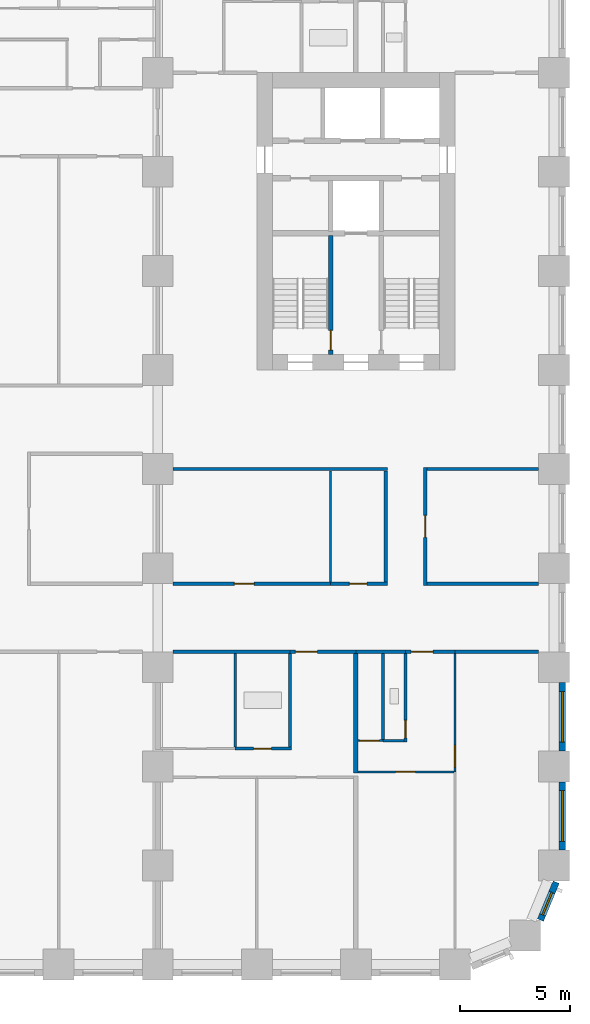
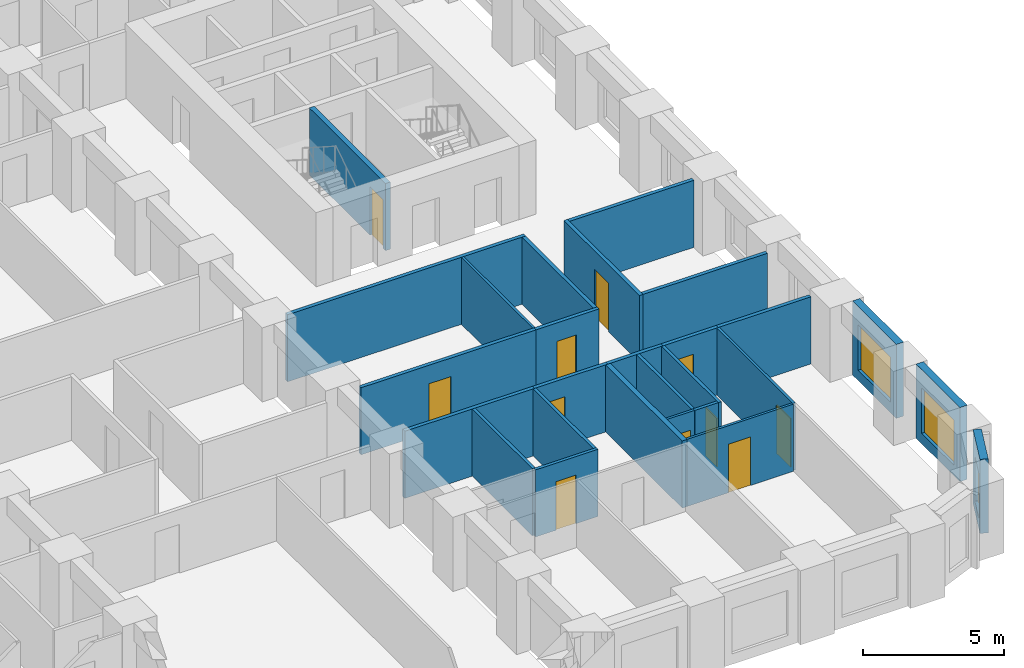
# One storey, part 5 of 13: 27 walls, 11 doors, 3 windows, 14 openings.
"""IFC4 building model written with IfcOpenShell, lengths in metres."""

import ifcopenshell
import ifcopenshell.guid

model = None  # the IFC model being written
_history = None  # IfcOwnerHistory: only IFC2X3 demands one
_inside = {}  # id of a spatial element -> (the spatial element, [elements in it])
_under = {}  # id of a project, library or spatial element -> (it, [spatial elements below it])
_declared = {}  # id of a project -> (the project, [libraries it declares])
_typed = {}  # id of a type object -> (the type object, [elements of that type])
_made_of = {}  # id of a material, layer set ... -> (it, [elements and type objects made of it])


def new_model(schema):
    """Start an empty IFC model of exactly this schema.

    Asked for "IFC4X3", IfcOpenShell would pick the latest addendum, in which some entities
    have other attributes; the version numbers below select the first issue.
    IFC2X3 requires an IfcOwnerHistory on every rooted entity: one is made here for all.
    """
    global model, _history
    if schema == "IFC4X3":
        model = ifcopenshell.file(schema_version=(4, 3, 0, 0))
    else:
        model = ifcopenshell.file(schema=schema)
    _inside.clear()
    _under.clear()
    _declared.clear()
    _typed.clear()
    _made_of.clear()
    _history = None
    if model.schema == "IFC2X3":
        org = make("IfcOrganization", Name="unknown")
        user = make(
            "IfcPersonAndOrganization",
            ThePerson=make("IfcPerson", FamilyName="unknown"),
            TheOrganization=org,
        )
        app = make(
            "IfcApplication",
            ApplicationDeveloper=org,
            Version="unknown",
            ApplicationFullName="unknown",
            ApplicationIdentifier="unknown",
        )
        _history = make(
            "IfcOwnerHistory",
            OwningUser=user,
            OwningApplication=app,
            ChangeAction="ADDED",
            CreationDate=0,
        )
    return model


def make(cls, **values):
    """One entity of the class cls with the attributes given. An attribute that is None is left unset."""
    return model.create_entity(
        cls, **{name: value for name, value in values.items() if value is not None}
    )


def rooted(cls, **values):
    """An entity with a GlobalId (a new one), such as an element, a storey or a relation."""
    return make(cls, GlobalId=ifcopenshell.guid.new(), OwnerHistory=_history, **values)


def si_unit(unit_type, name, prefix=None):
    """IfcSIUnit, for example si_unit("LENGTHUNIT", "METRE", prefix="MILLI")."""
    return make("IfcSIUnit", UnitType=unit_type, Prefix=prefix, Name=name)


def assignment(units):
    """IfcUnitAssignment: the units of a project."""
    return None if units is None else make("IfcUnitAssignment", Units=units)


def point(xyz):
    """IfcCartesianPoint."""
    return None if xyz is None else make("IfcCartesianPoint", Coordinates=xyz)


def direction(xyz):
    """IfcDirection."""
    return None if xyz is None else make("IfcDirection", DirectionRatios=xyz)


def frame(location, z_axis=None, x_axis=None):
    """IfcAxis2Placement3D, a coordinate frame: its origin and axes. An axis left out is left unset."""
    return make(
        "IfcAxis2Placement3D",
        Location=point(location),
        Axis=direction(z_axis),
        RefDirection=direction(x_axis),
    )


def frame_2d(location, x_axis=None):
    """IfcAxis2Placement2D, a coordinate frame in the plane: its origin and x axis."""
    return make(
        "IfcAxis2Placement2D", Location=point(location), RefDirection=direction(x_axis)
    )


def origin():
    """The frame at (0, 0, 0) with its axes left unset."""
    return frame((0.0, 0.0, 0.0))


def place(relative_to, where):
    """IfcLocalPlacement: puts the frame where relative to a parent placement (None: the world)."""
    return make(
        "IfcLocalPlacement", PlacementRelTo=relative_to, RelativePlacement=where
    )


def context(
    kind, dimensions, precision=None, world=None, true_north=None, identifier=None
):
    """IfcGeometricRepresentationContext, for example the 3D "Model" context."""
    return make(
        "IfcGeometricRepresentationContext",
        ContextIdentifier=identifier,
        ContextType=kind,
        CoordinateSpaceDimension=dimensions,
        Precision=precision,
        WorldCoordinateSystem=world,
        TrueNorth=true_north,
    )


def subcontext(parent, identifier, kind, view, scale=None):
    """IfcGeometricRepresentationSubContext, for example "Body" below "Model"."""
    return make(
        "IfcGeometricRepresentationSubContext",
        ContextIdentifier=identifier,
        ContextType=kind,
        ParentContext=parent,
        TargetScale=scale,
        TargetView=view,
    )


def project(units=None, contexts=None):
    """IfcProject with its units and contexts."""
    return rooted(
        "IfcProject",
        Name="project",
        RepresentationContexts=contexts,
        UnitsInContext=assignment(units),
    )


def spatial(cls, under=None, at=None, **own):
    """A site, building, storey or space (cls), placed at a placement, below another one or the project."""
    s = rooted(cls, ObjectPlacement=at, **own)
    if under is not None:
        _under.setdefault(under.id(), (under, []))[1].append(s)
    return s


def profile(cls, at=None, kind="AREA", **sizes):
    """A parametric profile (cls). Its sizes go by their IFC names, for example OverallWidth=200.0."""
    return make(cls, ProfileType=kind, Position=at, **sizes)


def rectangle(**sizes):
    """IfcRectangleProfileDef."""
    return profile("IfcRectangleProfileDef", **sizes)


def extrude(swept, where, along, depth):
    """IfcExtrudedAreaSolid: the profile swept, set in the frame where, extruded along a direction by depth."""
    return make(
        "IfcExtrudedAreaSolid",
        SweptArea=swept,
        Position=where,
        ExtrudedDirection=direction(along),
        Depth=depth,
    )


def shape(context_of_items, identifier, shape_type, items):
    """IfcShapeRepresentation: the items that make up one representation, for example the "Body"."""
    return make(
        "IfcShapeRepresentation",
        ContextOfItems=context_of_items,
        RepresentationIdentifier=identifier,
        RepresentationType=shape_type,
        Items=items,
    )


def material(Name=None, Category=None):
    """IfcMaterial."""
    return make("IfcMaterial", Name=Name, Category=Category)


def layer(
    of_material, thickness, ventilated=None, Name=None, Category=None, Priority=None
):
    """IfcMaterialLayer: one layer of a wall or slab, of a material (None: an air gap)."""
    return make(
        "IfcMaterialLayer",
        Material=of_material,
        LayerThickness=thickness,
        IsVentilated=ventilated,
        Name=Name,
        Category=Category,
        Priority=Priority,
    )


def layer_set(layers, Name=None):
    """IfcMaterialLayerSet."""
    return make("IfcMaterialLayerSet", MaterialLayers=layers, LayerSetName=Name)


def made_of(thing, what):
    """Note that an element or type object is made of a material, layer set ...; save() writes the relation."""
    if what is not None:
        _made_of.setdefault(what.id(), (what, []))[1].append(thing)
    return thing


def type_object(cls, material=None, **own):
    """A type object (cls), such as IfcWallType, which elements share."""
    return made_of(rooted(cls, **own), material)


def element(
    cls,
    number,
    at=None,
    inside=None,
    cuts=None,
    type_object=None,
    material=None,
    context=None,
    identifier="Body",
    shape_type=None,
    held_by="IfcProductDefinitionShape",
    body=None,
    shapes=None,
    **own,
):
    """One element of the class cls, such as IfcWall. Its Tag is "e" and its number.

    at: its placement. inside: the storey or other place that contains it. cuts: it is an
    opening in that element (IfcRelVoidsElement). A single representation is given by context,
    identifier, shape_type and body (its items); several are given by shapes. held_by: the class
    of the entity that holds the representations. save() writes the other relations.
    """
    e = rooted(cls, Tag="e%d" % number, ObjectPlacement=at, **own)
    if body is not None:
        shapes = [shape(context, identifier, shape_type, body)]
    if shapes is not None:
        e.Representation = make(held_by, Representations=shapes)
    if inside is not None:
        _inside.setdefault(inside.id(), (inside, []))[1].append(e)
    if cuts is not None:
        rooted(
            "IfcRelVoidsElement", RelatingBuildingElement=cuts, RelatedOpeningElement=e
        )
    if type_object is not None:
        _typed.setdefault(type_object.id(), (type_object, []))[1].append(e)
    return made_of(e, material)


def fill(opening, filler):
    """IfcRelFillsElement: the door or window that sits in an opening."""
    return rooted(
        "IfcRelFillsElement",
        RelatingOpeningElement=opening,
        RelatedBuildingElement=filler,
    )


def aggregate(whole, parts):
    """IfcRelAggregates: a whole, such as a stair, and the parts it consists of."""
    return rooted("IfcRelAggregates", RelatingObject=whole, RelatedObjects=parts)


def save(model, path):
    """Write the relations noted so far, then the file.

    IfcRelAggregates (storeys below a building ...), IfcRelContainedInSpatialStructure (elements
    in a storey), IfcRelDefinesByType, IfcRelAssociatesMaterial and IfcRelDeclares: one each for
    every whole, place, type object, material and project.
    """
    for whole, parts in _under.values():
        aggregate(whole, parts)
    for where, things in _inside.values():
        rooted(
            "IfcRelContainedInSpatialStructure",
            RelatedElements=things,
            RelatingStructure=where,
        )
    for kind, things in _typed.values():
        rooted("IfcRelDefinesByType", RelatedObjects=things, RelatingType=kind)
    for what, things in _made_of.values():
        rooted("IfcRelAssociatesMaterial", RelatedObjects=things, RelatingMaterial=what)
    for by, libraries in _declared.values():
        rooted("IfcRelDeclares", RelatingContext=by, RelatedDefinitions=libraries)
    model.write(path)


model = new_model("IFC4")

# Units and contexts
model_context = context("Model", 3, precision=1e-05, world=origin(), true_north=direction((0.0, 1.0)))
body_context = subcontext(model_context, "Body", "Model", "MODEL_VIEW")
ifc_project = project(units=[si_unit("LENGTHUNIT", "METRE"), si_unit("AREAUNIT", "SQUARE_METRE"), si_unit("VOLUMEUNIT", "CUBIC_METRE"), si_unit("PLANEANGLEUNIT", "RADIAN"), si_unit("MASSUNIT", "GRAM", prefix="KILO")], contexts=[model_context])

# Site, building, storey
site_placement = place(None, origin())
site = spatial("IfcSite", under=ifc_project, at=site_placement, CompositionType="ELEMENT")
building_placement = place(site_placement, origin())
building = spatial("IfcBuilding", under=site, at=building_placement, Name="Girih Gate Residences", CompositionType="ELEMENT")
storey_placement = place(building_placement, frame((0.0, 0.0, 46.39990234375)))
storey = spatial("IfcBuildingStorey", under=building, at=storey_placement, Name="L11", CompositionType="ELEMENT", Elevation=46.39990234375)

# Wall, opening, door
ifc_material_1 = material(Name="Gypsum board on steel studs", Category="steel")
ifc_layer_1 = layer(ifc_material_1, 0.14990234375)
ifc_layer_set_1 = layer_set([ifc_layer_1], Name="Compartment wall 150 mm")
wall_type_1 = type_object("IfcWallType", Name="Compartment wall 150 mm", PredefinedType="PARTITIONING", material=ifc_layer_set_1)
wall_1_placement = place(storey_placement, frame((45.0, 14.199951171875, 0.0), z_axis=(0.0, 0.0, 1.0), x_axis=(-1.0, 0.0, 0.0)))
wall_1 = element("IfcWall", 1, at=wall_1_placement, inside=storey, type_object=wall_type_1, Name="L11 partition", PredefinedType="PARTITIONING", context=body_context, shape_type="SweptSolid", body=[
    extrude(rectangle(XDim=2.25, YDim=0.14990234375, at=frame_2d((1.125, 0.0))), origin(), (0.0, 0.0, 1.0), 2.900146484375),
])
opening_1_placement = place(wall_1_placement, frame((1.0, 0.0, 0.0)))
opening_1 = element("IfcOpeningElement", 2, at=opening_1_placement, cuts=wall_1, Name="Opening A11-022", PredefinedType="OPENING", context=body_context, shape_type="SweptSolid", body=[
    extrude(rectangle(XDim=1.0, YDim=2.10009765625, at=frame_2d((0.5, 1.050048828125))), frame((0.0, 0.0849609375, 0.0), z_axis=(0.0, -1.0, 0.0), x_axis=(1.0, 0.0, 0.0)), (0.0, 0.0, 1.0), 0.169921875),
])
ifc_material_2 = material(Name="Timber, fire-rated core", Category="wood")
door_type_1 = type_object("IfcDoorType", Name="Flat entrance door 1000x2100 FD30S", OperationType="NOTDEFINED", PredefinedType="DOOR", material=ifc_material_2)
door_1_placement = place(opening_1_placement, origin())
door_1 = element("IfcDoor", 3, at=door_1_placement, inside=storey, type_object=door_type_1, Name="Door A11-022", OperationType="SINGLE_SWING_RIGHT", OverallHeight=2.10009765625, OverallWidth=1.0, PredefinedType="DOOR", context=body_context, shape_type="SweptSolid", body=[
    extrude(rectangle(XDim=1.0, YDim=2.10009765625, at=frame_2d((0.5, 1.050048828125))), frame((0.0, 0.02490234375, 0.0), z_axis=(0.0, -1.0, 0.0), x_axis=(1.0, 0.0, 0.0)), (0.0, 0.0, 1.0), 0.050048828125),
])
fill(opening_1, door_1)

# Walls
wall_2_placement = place(storey_placement, frame((40.5, 14.199951171875, 0.0), z_axis=(0.0, 0.0, 1.0), x_axis=(1.0, 0.0, 0.0)))
element("IfcWall", 4, at=wall_2_placement, inside=storey, type_object=wall_type_1, Name="L11 partition", PredefinedType="PARTITIONING", context=body_context, shape_type="SweptSolid", body=[
    extrude(rectangle(XDim=2.25, YDim=0.14990234375, at=frame_2d((1.125, 0.0))), origin(), (0.0, 0.0, 1.0), 2.900146484375),
])
wall_3_placement = place(storey_placement, frame((45.0, 14.199951171875, 0.0), z_axis=(0.0, 0.0, 1.0), x_axis=(1.0, 0.0, 0.0)))
element("IfcWall", 5, at=wall_3_placement, inside=storey, type_object=wall_type_1, Name="L11 partition", PredefinedType="PARTITIONING", context=body_context, shape_type="SweptSolid", body=[
    extrude(rectangle(XDim=3.800048828125, YDim=0.14990234375, at=frame_2d((1.89990234375, 0.0))), origin(), (0.0, 0.0, 1.0), 2.900146484375),
])

# Wall, opening, door
wall_4_placement = place(storey_placement, frame((40.5, 14.199951171875, 0.0), z_axis=(0.0, 0.0, 1.0), x_axis=(-1.0, 0.0, 0.0)))
wall_4 = element("IfcWall", 6, at=wall_4_placement, inside=storey, type_object=wall_type_1, Name="L11 partition", PredefinedType="PARTITIONING", context=body_context, shape_type="SweptSolid", body=[
    extrude(rectangle(XDim=3.0, YDim=0.14990234375, at=frame_2d((1.5, 0.0))), origin(), (0.0, 0.0, 1.0), 2.900146484375),
])
opening_2_placement = place(wall_4_placement, frame((1.75, 0.0, 0.0)))
opening_2 = element("IfcOpeningElement", 7, at=opening_2_placement, cuts=wall_4, Name="Opening A11-027", PredefinedType="OPENING", context=body_context, shape_type="SweptSolid", body=[
    extrude(rectangle(XDim=1.0, YDim=2.10009765625, at=frame_2d((0.5, 1.050048828125))), frame((0.0, 0.0849609375, 0.0), z_axis=(0.0, -1.0, 0.0), x_axis=(1.0, 0.0, 0.0)), (0.0, 0.0, 1.0), 0.169921875),
])
door_2_placement = place(opening_2_placement, origin())
door_2 = element("IfcDoor", 8, at=door_2_placement, inside=storey, type_object=door_type_1, Name="Door A11-027", OperationType="SINGLE_SWING_RIGHT", OverallHeight=2.10009765625, OverallWidth=1.0, PredefinedType="DOOR", context=body_context, shape_type="SweptSolid", body=[
    extrude(rectangle(XDim=1.0, YDim=2.10009765625, at=frame_2d((0.5, 1.050048828125))), frame((0.0, 0.02490234375, 0.0), z_axis=(0.0, -1.0, 0.0), x_axis=(1.0, 0.0, 0.0)), (0.0, 0.0, 1.0), 0.050048828125),
])
fill(opening_2, door_2)

# Wall
wall_5_placement = place(storey_placement, frame((32.199951171875, 14.199951171875, 0.0), z_axis=(0.0, 0.0, 1.0), x_axis=(1.0, 0.0, 0.0)))
element("IfcWall", 9, at=wall_5_placement, inside=storey, type_object=wall_type_1, Name="L11 partition", PredefinedType="PARTITIONING", context=body_context, shape_type="SweptSolid", body=[
    extrude(rectangle(XDim=5.300048828125, YDim=0.14990234375, at=frame_2d((2.64990234375, 0.0))), origin(), (0.0, 0.0, 1.0), 2.900146484375),
])

# Wall, opening, door
wall_6_placement = place(storey_placement, frame((32.199951171875, 17.300048828125, 0.0), z_axis=(0.0, 0.0, 1.0), x_axis=(1.0, 0.0, 0.0)))
wall_6 = element("IfcWall", 10, at=wall_6_placement, inside=storey, type_object=wall_type_1, Name="L11 partition", PredefinedType="PARTITIONING", context=body_context, shape_type="SweptSolid", body=[
    extrude(rectangle(XDim=7.150146484375, YDim=0.14990234375, at=frame_2d((3.5751953125, 0.0))), origin(), (0.0, 0.0, 1.0), 2.900146484375),
])
opening_3_placement = place(wall_6_placement, frame((2.77490234375, 0.0, 0.0)))
opening_3 = element("IfcOpeningElement", 11, at=opening_3_placement, cuts=wall_6, Name="Opening A11-053", PredefinedType="OPENING", context=body_context, shape_type="SweptSolid", body=[
    extrude(rectangle(XDim=0.89990234375, YDim=2.10009765625, at=frame_2d((0.449951171875, 1.050048828125))), frame((0.0, 0.0849609375, 0.0), z_axis=(0.0, -1.0, 0.0), x_axis=(1.0, 0.0, 0.0)), (0.0, 0.0, 1.0), 0.169921875),
])
ifc_material_3 = material(Name="Timber", Category="wood")
door_type_2 = type_object("IfcDoorType", Name="Service room door 900x2100", OperationType="NOTDEFINED", PredefinedType="DOOR", material=ifc_material_3)
door_3_placement = place(opening_3_placement, origin())
door_3 = element("IfcDoor", 12, at=door_3_placement, inside=storey, type_object=door_type_2, Name="Door A11-053", OperationType="SINGLE_SWING_LEFT", OverallHeight=2.10009765625, OverallWidth=0.89990234375, PredefinedType="DOOR", context=body_context, shape_type="SweptSolid", body=[
    extrude(rectangle(XDim=0.89990234375, YDim=2.10009765625, at=frame_2d((0.449951171875, 1.050048828125))), frame((0.0, 0.02490234375, 0.0), z_axis=(0.0, -1.0, 0.0), x_axis=(1.0, 0.0, 0.0)), (0.0, 0.0, 1.0), 0.050048828125),
])
fill(opening_3, door_3)

wall_7_placement = place(storey_placement, frame((39.35009765625, 17.300048828125, 0.0), z_axis=(0.0, 0.0, 1.0), x_axis=(1.0, 0.0, 0.0)))
wall_7 = element("IfcWall", 13, at=wall_7_placement, inside=storey, type_object=wall_type_1, Name="L11 partition", PredefinedType="PARTITIONING", context=body_context, shape_type="SweptSolid", body=[
    extrude(rectangle(XDim=2.574951171875, YDim=0.14990234375, at=frame_2d((1.28759765625, 0.0))), origin(), (0.0, 0.0, 1.0), 2.900146484375),
])
opening_4_placement = place(wall_7_placement, frame((0.85009765625, 0.0, 0.0)))
opening_4 = element("IfcOpeningElement", 14, at=opening_4_placement, cuts=wall_7, Name="Opening A11-055", PredefinedType="OPENING", context=body_context, shape_type="SweptSolid", body=[
    extrude(rectangle(XDim=0.800048828125, YDim=2.10009765625, at=frame_2d((0.39990234375, 1.050048828125))), frame((0.0, 0.0849609375, 0.0), z_axis=(0.0, -1.0, 0.0), x_axis=(1.0, 0.0, 0.0)), (0.0, 0.0, 1.0), 0.169921875),
])
door_type_3 = type_object("IfcDoorType", Name="Bathroom door 800x2100", OperationType="NOTDEFINED", PredefinedType="DOOR", material=ifc_material_3)
door_4_placement = place(opening_4_placement, origin())
door_4 = element("IfcDoor", 15, at=door_4_placement, inside=storey, type_object=door_type_3, Name="Door A11-055", OperationType="SINGLE_SWING_LEFT", OverallHeight=2.10009765625, OverallWidth=0.800048828125, PredefinedType="DOOR", context=body_context, shape_type="SweptSolid", body=[
    extrude(rectangle(XDim=0.800048828125, YDim=2.10009765625, at=frame_2d((0.39990234375, 1.050048828125))), frame((0.0, 0.02490234375, 0.0), z_axis=(0.0, -1.0, 0.0), x_axis=(1.0, 0.0, 0.0)), (0.0, 0.0, 1.0), 0.050048828125),
])
fill(opening_4, door_4)

# Walls
wall_8_placement = place(storey_placement, frame((43.72509765625, 17.300048828125, 0.0), z_axis=(0.0, 0.0, 1.0), x_axis=(1.0, 0.0, 0.0)))
element("IfcWall", 16, at=wall_8_placement, inside=storey, type_object=wall_type_1, Name="L11 partition", PredefinedType="PARTITIONING", context=body_context, shape_type="SweptSolid", body=[
    extrude(rectangle(XDim=5.074951171875, YDim=0.14990234375, at=frame_2d((2.53759765625, 0.0))), origin(), (0.0, 0.0, 1.0), 2.900146484375),
])
wall_9_placement = place(storey_placement, frame((32.199951171875, 22.5, 0.0), z_axis=(0.0, 0.0, 1.0), x_axis=(1.0, 0.0, 0.0)))
element("IfcWall", 17, at=wall_9_placement, inside=storey, type_object=wall_type_1, Name="L11 partition", PredefinedType="PARTITIONING", context=body_context, shape_type="SweptSolid", body=[
    extrude(rectangle(XDim=9.72509765625, YDim=0.14990234375, at=frame_2d((4.862548828125, 0.0))), origin(), (0.0, 0.0, 1.0), 2.900146484375),
])
wall_10_placement = place(storey_placement, frame((43.72509765625, 22.5, 0.0), z_axis=(0.0, 0.0, 1.0), x_axis=(1.0, 0.0, 0.0)))
element("IfcWall", 18, at=wall_10_placement, inside=storey, type_object=wall_type_1, Name="L11 partition", PredefinedType="PARTITIONING", context=body_context, shape_type="SweptSolid", body=[
    extrude(rectangle(XDim=5.074951171875, YDim=0.14990234375, at=frame_2d((2.53759765625, 0.0))), origin(), (0.0, 0.0, 1.0), 2.900146484375),
])
wall_11_placement = place(storey_placement, frame((41.85009765625, 17.375, 0.0), z_axis=(0.0, 0.0, 1.0), x_axis=(0.0, 1.0, 0.0)))
element("IfcWall", 19, at=wall_11_placement, inside=storey, type_object=wall_type_1, Name="L11 partition", PredefinedType="PARTITIONING", context=body_context, shape_type="SweptSolid", body=[
    extrude(rectangle(XDim=5.050048828125, YDim=0.14990234375, at=frame_2d((2.52490234375, 0.0))), origin(), (0.0, 0.0, 1.0), 2.900146484375),
])

# Wall, opening, door
wall_12_placement = place(storey_placement, frame((43.64990234375, 22.574951171875, 0.0), z_axis=(0.0, 0.0, 1.0), x_axis=(0.0, -1.0, 0.0)))
wall_12 = element("IfcWall", 20, at=wall_12_placement, inside=storey, type_object=wall_type_1, Name="L11 partition", PredefinedType="PARTITIONING", context=body_context, shape_type="SweptSolid", body=[
    extrude(rectangle(XDim=5.349853515625, YDim=0.14990234375, at=frame_2d((2.6748046875, 0.0))), origin(), (0.0, 0.0, 1.0), 2.900146484375),
])
opening_5_placement = place(wall_12_placement, frame((2.175048828125, 0.0, 0.0)))
opening_5 = element("IfcOpeningElement", 21, at=opening_5_placement, cuts=wall_12, Name="Opening A11-057", PredefinedType="OPENING", context=body_context, shape_type="SweptSolid", body=[
    extrude(rectangle(XDim=1.0, YDim=2.10009765625, at=frame_2d((0.5, 1.050048828125))), frame((0.0, 0.0849609375, 0.0), z_axis=(0.0, -1.0, 0.0), x_axis=(1.0, 0.0, 0.0)), (0.0, 0.0, 1.0), 0.169921875),
])
door_type_4 = type_object("IfcDoorType", Name="Amenity room door 1000x2100 FD30S", OperationType="NOTDEFINED", PredefinedType="DOOR", material=ifc_material_2)
door_5_placement = place(opening_5_placement, origin())
door_5 = element("IfcDoor", 22, at=door_5_placement, inside=storey, type_object=door_type_4, Name="Door A11-057", OperationType="SINGLE_SWING_RIGHT", OverallHeight=2.10009765625, OverallWidth=1.0, PredefinedType="DOOR", context=body_context, shape_type="SweptSolid", body=[
    extrude(rectangle(XDim=1.0, YDim=2.10009765625, at=frame_2d((0.5, 1.050048828125))), frame((0.0, 0.02490234375, 0.0), z_axis=(0.0, -1.0, 0.0), x_axis=(1.0, 0.0, 0.0)), (0.0, 0.0, 1.0), 0.050048828125),
])
fill(opening_5, door_5)

ifc_layer_2 = layer(ifc_material_1, 0.10009765625)
ifc_layer_set_2 = layer_set([ifc_layer_2], Name="Partition 100 mm")
wall_type_2 = type_object("IfcWallType", Name="Partition 100 mm", PredefinedType="PARTITIONING", material=ifc_layer_set_2)
wall_13_placement = place(storey_placement, frame((44.949951171875, 8.75, 0.0), z_axis=(0.0, 0.0, 1.0), x_axis=(-1.0, 0.0, 0.0)))
wall_13 = element("IfcWall", 23, at=wall_13_placement, inside=storey, type_object=wall_type_2, Name="L11 partition", PredefinedType="PARTITIONING", context=body_context, shape_type="SweptSolid", body=[
    extrude(rectangle(XDim=4.349853515625, YDim=0.10009765625, at=frame_2d((2.1748046875, 0.0))), origin(), (0.0, 0.0, 1.0), 2.900146484375),
])
opening_6_placement = place(wall_13_placement, frame((1.75, 0.0, 0.0)))
opening_6 = element("IfcOpeningElement", 24, at=opening_6_placement, cuts=wall_13, Name="Opening A11-019", PredefinedType="OPENING", context=body_context, shape_type="SweptSolid", body=[
    extrude(rectangle(XDim=0.89990234375, YDim=2.10009765625, at=frame_2d((0.449951171875, 1.050048828125))), frame((0.0, 0.06005859375, 0.0), z_axis=(0.0, -1.0, 0.0), x_axis=(1.0, 0.0, 0.0)), (0.0, 0.0, 1.0), 0.1201171875),
])
door_type_5 = type_object("IfcDoorType", Name="Bedroom door 900x2100", OperationType="NOTDEFINED", PredefinedType="DOOR", material=ifc_material_3)
door_6_placement = place(opening_6_placement, origin())
door_6 = element("IfcDoor", 25, at=door_6_placement, inside=storey, type_object=door_type_5, Name="Door A11-019", OperationType="SINGLE_SWING_RIGHT", OverallHeight=2.10009765625, OverallWidth=0.89990234375, PredefinedType="DOOR", context=body_context, shape_type="SweptSolid", body=[
    extrude(rectangle(XDim=0.89990234375, YDim=2.10009765625, at=frame_2d((0.449951171875, 1.050048828125))), frame((0.0, 0.02490234375, 0.0), z_axis=(0.0, -1.0, 0.0), x_axis=(1.0, 0.0, 0.0)), (0.0, 0.0, 1.0), 0.050048828125),
])
fill(opening_6, door_6)

wall_14_placement = place(storey_placement, frame((40.60009765625, 10.169921875, 0.0), z_axis=(0.0, 0.0, 1.0), x_axis=(1.0, 0.0, 0.0)))
wall_14 = element("IfcWall", 26, at=wall_14_placement, inside=storey, type_object=wall_type_2, Name="L11 partition", PredefinedType="PARTITIONING", context=body_context, shape_type="SweptSolid", body=[
    extrude(rectangle(XDim=1.127197265625, YDim=0.10009765625, at=frame_2d((0.5634765625, 0.0))), origin(), (0.0, 0.0, 1.0), 2.900146484375),
])
opening_7_placement = place(wall_14_placement, frame((0.063720703125, 0.0, 0.0)))
opening_7 = element("IfcOpeningElement", 27, at=opening_7_placement, cuts=wall_14, Name="Opening A11-020", PredefinedType="OPENING", context=body_context, shape_type="SweptSolid", body=[
    extrude(rectangle(XDim=0.89990234375, YDim=2.10009765625, at=frame_2d((0.449951171875, 1.050048828125))), frame((0.0, 0.06005859375, 0.0), z_axis=(0.0, -1.0, 0.0), x_axis=(1.0, 0.0, 0.0)), (0.0, 0.0, 1.0), 0.1201171875),
])
door_type_6 = type_object("IfcDoorType", Name="Kitchen door 900x2100", OperationType="NOTDEFINED", PredefinedType="DOOR", material=ifc_material_3)
door_7_placement = place(opening_7_placement, origin())
door_7 = element("IfcDoor", 28, at=door_7_placement, inside=storey, type_object=door_type_6, Name="Door A11-020", OperationType="SINGLE_SWING_LEFT", OverallHeight=2.10009765625, OverallWidth=0.89990234375, PredefinedType="DOOR", context=body_context, shape_type="SweptSolid", body=[
    extrude(rectangle(XDim=0.89990234375, YDim=2.10009765625, at=frame_2d((0.449951171875, 1.050048828125))), frame((0.0, 0.02490234375, 0.0), z_axis=(0.0, -1.0, 0.0), x_axis=(1.0, 0.0, 0.0)), (0.0, 0.0, 1.0), 0.050048828125),
])
fill(opening_7, door_7)

wall_15_placement = place(storey_placement, frame((45.0, 14.125, 0.0), z_axis=(0.0, 0.0, 1.0), x_axis=(0.0, -1.0, 0.0)))
wall_15 = element("IfcWall", 29, at=wall_15_placement, inside=storey, type_object=wall_type_2, Name="L11 partition", PredefinedType="PARTITIONING", context=body_context, shape_type="SweptSolid", body=[
    extrude(rectangle(XDim=5.375, YDim=0.10009765625, at=frame_2d((2.6875, 0.0))), origin(), (0.0, 0.0, 1.0), 2.900146484375),
])
opening_8_placement = place(wall_15_placement, frame((4.1650390625, 0.0, 0.0)))
opening_8 = element("IfcOpeningElement", 30, at=opening_8_placement, cuts=wall_15, Name="Opening A11-021", PredefinedType="OPENING", context=body_context, shape_type="SweptSolid", body=[
    extrude(rectangle(XDim=1.0, YDim=2.10009765625, at=frame_2d((0.5, 1.050048828125))), frame((0.0, 0.06005859375, 0.0), z_axis=(0.0, -1.0, 0.0), x_axis=(1.0, 0.0, 0.0)), (0.0, 0.0, 1.0), 0.1201171875),
])
door_type_7 = type_object("IfcDoorType", Name="Living room door 1000x2100", OperationType="NOTDEFINED", PredefinedType="DOOR", material=ifc_material_3)
door_8_placement = place(opening_8_placement, origin())
door_8 = element("IfcDoor", 31, at=door_8_placement, inside=storey, type_object=door_type_7, Name="Door A11-021", OperationType="SINGLE_SWING_RIGHT", OverallHeight=2.10009765625, OverallWidth=1.0, PredefinedType="DOOR", context=body_context, shape_type="SweptSolid", body=[
    extrude(rectangle(XDim=1.0, YDim=2.10009765625, at=frame_2d((0.5, 1.050048828125))), frame((0.0, 0.02490234375, 0.0), z_axis=(0.0, -1.0, 0.0), x_axis=(1.0, 0.0, 0.0)), (0.0, 0.0, 1.0), 0.050048828125),
])
fill(opening_8, door_8)

# Walls
wall_16_placement = place(storey_placement, frame((39.35009765625, 17.375, 0.0), z_axis=(0.0, 0.0, 1.0), x_axis=(0.0, 1.0, 0.0)))
element("IfcWall", 32, at=wall_16_placement, inside=storey, type_object=wall_type_2, Name="L11 partition", PredefinedType="PARTITIONING", context=body_context, shape_type="SweptSolid", body=[
    extrude(rectangle(XDim=5.050048828125, YDim=0.10009765625, at=frame_2d((2.52490234375, 0.0))), origin(), (0.0, 0.0, 1.0), 2.900146484375),
])
ifc_layer_3 = layer(ifc_material_1, 0.199951171875)
ifc_layer_set_3 = layer_set([ifc_layer_3], Name="Party wall 200 mm")
wall_type_3 = type_object("IfcWallType", Name="Party wall 200 mm", PredefinedType="PARTITIONING", material=ifc_layer_set_3)
wall_17_placement = place(storey_placement, frame((40.5, 8.699951171875, 0.0), z_axis=(0.0, 0.0, 1.0), x_axis=(0.0, 1.0, 0.0)))
element("IfcWall", 33, at=wall_17_placement, inside=storey, type_object=wall_type_3, Name="L11 partition", PredefinedType="PARTITIONING", context=body_context, shape_type="SweptSolid", body=[
    extrude(rectangle(XDim=5.425048828125, YDim=0.199951171875, at=frame_2d((2.71240234375, 0.0))), origin(), (0.0, 0.0, 1.0), 2.900146484375),
])

# Wall, opening, window
ifc_material_4 = material(Name="Precast concrete C50/60", Category="concrete")
ifc_layer_4 = layer(ifc_material_4, 0.080078125, Name="Outer leaf")
ifc_material_5 = material(Name="Rigid PIR insulation")
ifc_layer_5 = layer(ifc_material_5, 0.14990234375, Name="Insulation")
ifc_material_6 = material(Name="Precast concrete C40/50", Category="concrete")
ifc_layer_6 = layer(ifc_material_6, 0.070068359375, Name="Inner leaf")
ifc_layer_set_4 = layer_set([ifc_layer_4, ifc_layer_5, ifc_layer_6], Name="Precast concrete C50/60 external wall 300")
wall_type_4 = type_object("IfcWallType", Name="Precast concrete C50/60 external wall 300", PredefinedType="SOLIDWALL", material=ifc_layer_set_4)
wall_18_placement = place(storey_placement, frame((49.59228515625, 3.74267578125, 0.0), z_axis=(0.0, 0.0, 1.0), x_axis=(-0.382737135771, -0.923857286003, 0.0)))
wall_18 = element("IfcWall", 34, at=wall_18_placement, inside=storey, type_object=wall_type_4, Name="External wall SE0482_0013.0", PredefinedType="SOLIDWALL", context=body_context, shape_type="SweptSolid", body=[
    extrude(rectangle(XDim=1.865234375, YDim=0.300048828125, at=frame_2d((0.9326171875, 0.0))), origin(), (0.0, 0.0, 1.0), 3.2001953125),
])
opening_9_placement = place(wall_18_placement, frame((0.507568359375, 0.0, 0.449951171875)))
opening_9 = element("IfcOpeningElement", 35, at=opening_9_placement, cuts=wall_18, Name="Opening W-2C", PredefinedType="OPENING", context=body_context, shape_type="SweptSolid", body=[
    extrude(rectangle(XDim=1.10009765625, YDim=1.949951171875, at=frame_2d((0.550048828125, 0.97509765625))), frame((0.0, 0.159912109375, 0.0), z_axis=(0.0, -1.0, 0.0), x_axis=(1.0, 0.0, 0.0)), (0.0, 0.0, 1.0), 0.320068359375),
])
ifc_material_7 = material(Name="Double glazing in aluminium frame", Category="aluminium")
window_type_1 = type_object("IfcWindowType", Name="Window W-2C 1100x1950", PartitioningType="SINGLE_PANEL", PredefinedType="WINDOW", material=ifc_material_7)
window_1_placement = place(opening_9_placement, origin())
window_1 = element("IfcWindow", 36, at=window_1_placement, inside=storey, type_object=window_type_1, Name="Window W-2C SE0482_0013.0", OverallHeight=1.949951171875, OverallWidth=1.10009765625, PartitioningType="SINGLE_PANEL", PredefinedType="WINDOW", context=body_context, shape_type="SweptSolid", body=[
    extrude(rectangle(XDim=1.10009765625, YDim=1.949951171875, at=frame_2d((0.550048828125, 0.97509765625))), frame((0.0, 0.030029296875, 0.0), z_axis=(0.0, -1.0, 0.0), x_axis=(1.0, 0.0, 0.0)), (0.0, 0.0, 1.0), 0.06005859375),
])
fill(opening_9, window_1)

wall_19_placement = place(storey_placement, frame((49.875, 8.300048828125, 0.0), z_axis=(0.0, 0.0, 1.0), x_axis=(0.0, -1.0, 0.0)))
wall_19 = element("IfcWall", 37, at=wall_19_placement, inside=storey, type_object=wall_type_4, Name="External wall E0495_0045.0", PredefinedType="SOLIDWALL", context=body_context, shape_type="SweptSolid", body=[
    extrude(rectangle(XDim=3.10009765625, YDim=0.300048828125, at=frame_2d((1.550048828125, 0.0))), origin(), (0.0, 0.0, 1.0), 3.2001953125),
])
opening_10_placement = place(wall_19_placement, frame((0.39990234375, 0.0, 0.449951171875)))
opening_10 = element("IfcOpeningElement", 38, at=opening_10_placement, cuts=wall_19, Name="Opening W-1", PredefinedType="OPENING", context=body_context, shape_type="SweptSolid", body=[
    extrude(rectangle(XDim=2.300048828125, YDim=1.949951171875, at=frame_2d((1.14990234375, 0.97509765625))), frame((0.0, 0.159912109375, 0.0), z_axis=(0.0, -1.0, 0.0), x_axis=(1.0, 0.0, 0.0)), (0.0, 0.0, 1.0), 0.320068359375),
])
window_type_2 = type_object("IfcWindowType", Name="Window W-1 2300x1950", PartitioningType="SINGLE_PANEL", PredefinedType="WINDOW", material=ifc_material_7)
window_2_placement = place(opening_10_placement, origin())
window_2 = element("IfcWindow", 39, at=window_2_placement, inside=storey, type_object=window_type_2, Name="Window W-1 E0495_0045.0", OverallHeight=1.949951171875, OverallWidth=2.300048828125, PartitioningType="SINGLE_PANEL", PredefinedType="WINDOW", context=body_context, shape_type="SweptSolid", body=[
    extrude(rectangle(XDim=2.300048828125, YDim=1.949951171875, at=frame_2d((1.14990234375, 0.97509765625))), frame((0.0, 0.030029296875, 0.0), z_axis=(0.0, -1.0, 0.0), x_axis=(1.0, 0.0, 0.0)), (0.0, 0.0, 1.0), 0.06005859375),
])
fill(opening_10, window_2)

wall_20_placement = place(storey_placement, frame((49.875, 12.800048828125, 0.0), z_axis=(0.0, 0.0, 1.0), x_axis=(0.0, -1.0, 0.0)))
wall_20 = element("IfcWall", 40, at=wall_20_placement, inside=storey, type_object=wall_type_4, Name="External wall E0495_0045.1", PredefinedType="SOLIDWALL", context=body_context, shape_type="SweptSolid", body=[
    extrude(rectangle(XDim=3.10009765625, YDim=0.300048828125, at=frame_2d((1.550048828125, 0.0))), origin(), (0.0, 0.0, 1.0), 3.2001953125),
])
opening_11_placement = place(wall_20_placement, frame((0.39990234375, 0.0, 0.449951171875)))
opening_11 = element("IfcOpeningElement", 41, at=opening_11_placement, cuts=wall_20, Name="Opening W-1", PredefinedType="OPENING", context=body_context, shape_type="SweptSolid", body=[
    extrude(rectangle(XDim=2.300048828125, YDim=1.949951171875, at=frame_2d((1.14990234375, 0.97509765625))), frame((0.0, 0.159912109375, 0.0), z_axis=(0.0, -1.0, 0.0), x_axis=(1.0, 0.0, 0.0)), (0.0, 0.0, 1.0), 0.320068359375),
])
window_3_placement = place(opening_11_placement, origin())
window_3 = element("IfcWindow", 42, at=window_3_placement, inside=storey, type_object=window_type_2, Name="Window W-1 E0495_0045.1", OverallHeight=1.949951171875, OverallWidth=2.300048828125, PartitioningType="SINGLE_PANEL", PredefinedType="WINDOW", context=body_context, shape_type="SweptSolid", body=[
    extrude(rectangle(XDim=2.300048828125, YDim=1.949951171875, at=frame_2d((1.14990234375, 0.97509765625))), frame((0.0, 0.030029296875, 0.0), z_axis=(0.0, -1.0, 0.0), x_axis=(1.0, 0.0, 0.0)), (0.0, 0.0, 1.0), 0.06005859375),
])
fill(opening_11, window_3)

# Wall, opening, door
ifc_material_8 = material(Name="Concrete C40/50", Category="concrete")
ifc_layer_7 = layer(ifc_material_8, 0.199951171875)
ifc_layer_set_5 = layer_set([ifc_layer_7], Name="Shaft wall 200")
wall_type_5 = type_object("IfcWallType", Name="Shaft wall 200", PredefinedType="SOLIDWALL", material=ifc_layer_set_5)
wall_21_placement = place(storey_placement, frame((39.35009765625, 27.699951171875, 0.0), z_axis=(0.0, 0.0, 1.0), x_axis=(0.0, 1.0, 0.0)))
wall_21 = element("IfcWall", 43, at=wall_21_placement, inside=storey, type_object=wall_type_5, Name="L11 E core wall V2a", PredefinedType="SOLIDWALL", context=body_context, shape_type="SweptSolid", body=[
    extrude(rectangle(XDim=5.400146484375, YDim=0.199951171875, at=frame_2d((2.7001953125, 0.0))), origin(), (0.0, 0.0, 1.0), 2.900146484375),
])
opening_12_placement = place(wall_21_placement, frame((0.199951171875, 0.0, 0.0)))
opening_12 = element("IfcOpeningElement", 44, at=opening_12_placement, cuts=wall_21, Name="Opening D-L11-E-002", PredefinedType="OPENING", context=body_context, shape_type="SweptSolid", body=[
    extrude(rectangle(XDim=0.89990234375, YDim=2.10009765625, at=frame_2d((0.449951171875, 1.050048828125))), frame((0.0, 0.10986328125, 0.0), z_axis=(0.0, -1.0, 0.0), x_axis=(1.0, 0.0, 0.0)), (0.0, 0.0, 1.0), 0.219970703125),
])
ifc_material_9 = material(Name="Painted steel, fire-resisting", Category="steel")
door_type_8 = type_object("IfcDoorType", Name="Fire door 900x2100", OperationType="SINGLE_SWING_LEFT", PredefinedType="DOOR", material=ifc_material_9)
door_9_placement = place(opening_12_placement, origin())
door_9 = element("IfcDoor", 45, at=door_9_placement, inside=storey, type_object=door_type_8, Name="L11 E door stair 2 to firefighting lobby", OperationType="SINGLE_SWING_LEFT", OverallHeight=2.10009765625, OverallWidth=0.89990234375, PredefinedType="DOOR", context=body_context, shape_type="SweptSolid", body=[
    extrude(rectangle(XDim=0.89990234375, YDim=2.10009765625, at=frame_2d((0.449951171875, 1.050048828125))), frame((0.0, 0.02490234375, 0.0), z_axis=(0.0, -1.0, 0.0), x_axis=(1.0, 0.0, 0.0)), (0.0, 0.0, 1.0), 0.050048828125),
])
fill(opening_12, door_9)

ifc_layer_8 = layer(ifc_material_1, 0.125)
ifc_layer_set_6 = layer_set([ifc_layer_8], Name="Wet room wall 125 mm")
wall_type_6 = type_object("IfcWallType", Name="Wet room wall 125 mm", PredefinedType="PARTITIONING", material=ifc_layer_set_6)
wall_22_placement = place(storey_placement, frame((42.75, 10.107421875, 0.0), z_axis=(0.0, 0.0, 1.0), x_axis=(0.0, 1.0, 0.0)))
wall_22 = element("IfcWall", 46, at=wall_22_placement, inside=storey, type_object=wall_type_6, Name="L11 partition", PredefinedType="PARTITIONING", context=body_context, shape_type="SweptSolid", body=[
    extrude(rectangle(XDim=4.017578125, YDim=0.125, at=frame_2d((2.0087890625, 0.0))), origin(), (0.0, 0.0, 1.0), 2.900146484375),
])
opening_13_placement = place(wall_22_placement, frame((0.1826171875, 0.0, 0.0)))
opening_13 = element("IfcOpeningElement", 47, at=opening_13_placement, cuts=wall_22, Name="Opening A11-018", PredefinedType="OPENING", context=body_context, shape_type="SweptSolid", body=[
    extrude(rectangle(XDim=0.800048828125, YDim=2.10009765625, at=frame_2d((0.39990234375, 1.050048828125))), frame((0.0, 0.072509765625, 0.0), z_axis=(0.0, -1.0, 0.0), x_axis=(1.0, 0.0, 0.0)), (0.0, 0.0, 1.0), 0.14501953125),
])
door_10_placement = place(opening_13_placement, origin())
door_10 = element("IfcDoor", 48, at=door_10_placement, inside=storey, type_object=door_type_3, Name="Door A11-018", OperationType="SINGLE_SWING_LEFT", OverallHeight=2.10009765625, OverallWidth=0.800048828125, PredefinedType="DOOR", context=body_context, shape_type="SweptSolid", body=[
    extrude(rectangle(XDim=0.800048828125, YDim=2.10009765625, at=frame_2d((0.39990234375, 1.050048828125))), frame((0.0, 0.02490234375, 0.0), z_axis=(0.0, -1.0, 0.0), x_axis=(1.0, 0.0, 0.0)), (0.0, 0.0, 1.0), 0.050048828125),
])
fill(opening_13, door_10)

# Walls
wall_23_placement = place(storey_placement, frame((41.727294921875, 10.169921875, 0.0), z_axis=(0.0, 0.0, 1.0), x_axis=(1.0, 0.0, 0.0)))
element("IfcWall", 49, at=wall_23_placement, inside=storey, type_object=wall_type_6, Name="L11 partition", PredefinedType="PARTITIONING", context=body_context, shape_type="SweptSolid", body=[
    extrude(rectangle(XDim=0.960205078125, YDim=0.125, at=frame_2d((0.47998046875, 0.0))), origin(), (0.0, 0.0, 1.0), 2.900146484375),
])
wall_24_placement = place(storey_placement, frame((41.72705078125, 10.232421875, 0.0), z_axis=(0.0, 0.0, 1.0), x_axis=(0.0, 1.0, 0.0)))
element("IfcWall", 50, at=wall_24_placement, inside=storey, type_object=wall_type_6, Name="L11 partition", PredefinedType="PARTITIONING", context=body_context, shape_type="SweptSolid", body=[
    extrude(rectangle(XDim=3.892578125, YDim=0.125, at=frame_2d((1.9462890625, 0.0))), origin(), (0.0, 0.0, 1.0), 2.900146484375),
])
wall_25_placement = place(storey_placement, frame((37.5, 9.87255859375, 0.0), z_axis=(0.0, 0.0, 1.0), x_axis=(0.0, 1.0, 0.0)))
element("IfcWall", 51, at=wall_25_placement, inside=storey, type_object=wall_type_6, Name="L11 partition", PredefinedType="PARTITIONING", context=body_context, shape_type="SweptSolid", body=[
    extrude(rectangle(XDim=4.25244140625, YDim=0.125, at=frame_2d((2.126220703125, 0.0))), origin(), (0.0, 0.0, 1.0), 2.900146484375),
])

# Wall, opening, door
wall_26_placement = place(storey_placement, frame((35.015380859375, 9.81005859375, 0.0), z_axis=(0.0, 0.0, 1.0), x_axis=(1.0, 0.0, 0.0)))
wall_26 = element("IfcWall", 52, at=wall_26_placement, inside=storey, type_object=wall_type_6, Name="L11 partition", PredefinedType="PARTITIONING", context=body_context, shape_type="SweptSolid", body=[
    extrude(rectangle(XDim=2.547119140625, YDim=0.125, at=frame_2d((1.2734375, 0.0))), origin(), (0.0, 0.0, 1.0), 2.900146484375),
])
opening_14_placement = place(wall_26_placement, frame((0.84228515625, 0.0, 0.0)))
opening_14 = element("IfcOpeningElement", 53, at=opening_14_placement, cuts=wall_26, Name="Opening A11-023", PredefinedType="OPENING", context=body_context, shape_type="SweptSolid", body=[
    extrude(rectangle(XDim=0.800048828125, YDim=2.10009765625, at=frame_2d((0.39990234375, 1.050048828125))), frame((0.0, 0.072509765625, 0.0), z_axis=(0.0, -1.0, 0.0), x_axis=(1.0, 0.0, 0.0)), (0.0, 0.0, 1.0), 0.14501953125),
])
door_11_placement = place(opening_14_placement, origin())
door_11 = element("IfcDoor", 54, at=door_11_placement, inside=storey, type_object=door_type_3, Name="Door A11-023", OperationType="SINGLE_SWING_LEFT", OverallHeight=2.10009765625, OverallWidth=0.800048828125, PredefinedType="DOOR", context=body_context, shape_type="SweptSolid", body=[
    extrude(rectangle(XDim=0.800048828125, YDim=2.10009765625, at=frame_2d((0.39990234375, 1.050048828125))), frame((0.0, 0.02490234375, 0.0), z_axis=(0.0, -1.0, 0.0), x_axis=(1.0, 0.0, 0.0)), (0.0, 0.0, 1.0), 0.050048828125),
])
fill(opening_14, door_11)

# Wall
wall_27_placement = place(storey_placement, frame((35.014892578125, 9.87255859375, 0.0), z_axis=(0.0, 0.0, 1.0), x_axis=(0.0, 1.0, 0.0)))
element("IfcWall", 55, at=wall_27_placement, inside=storey, type_object=wall_type_6, Name="L11 partition", PredefinedType="PARTITIONING", context=body_context, shape_type="SweptSolid", body=[
    extrude(rectangle(XDim=4.25244140625, YDim=0.125, at=frame_2d((2.126220703125, 0.0))), origin(), (0.0, 0.0, 1.0), 2.900146484375),
])

save(model, "model.ifc")
